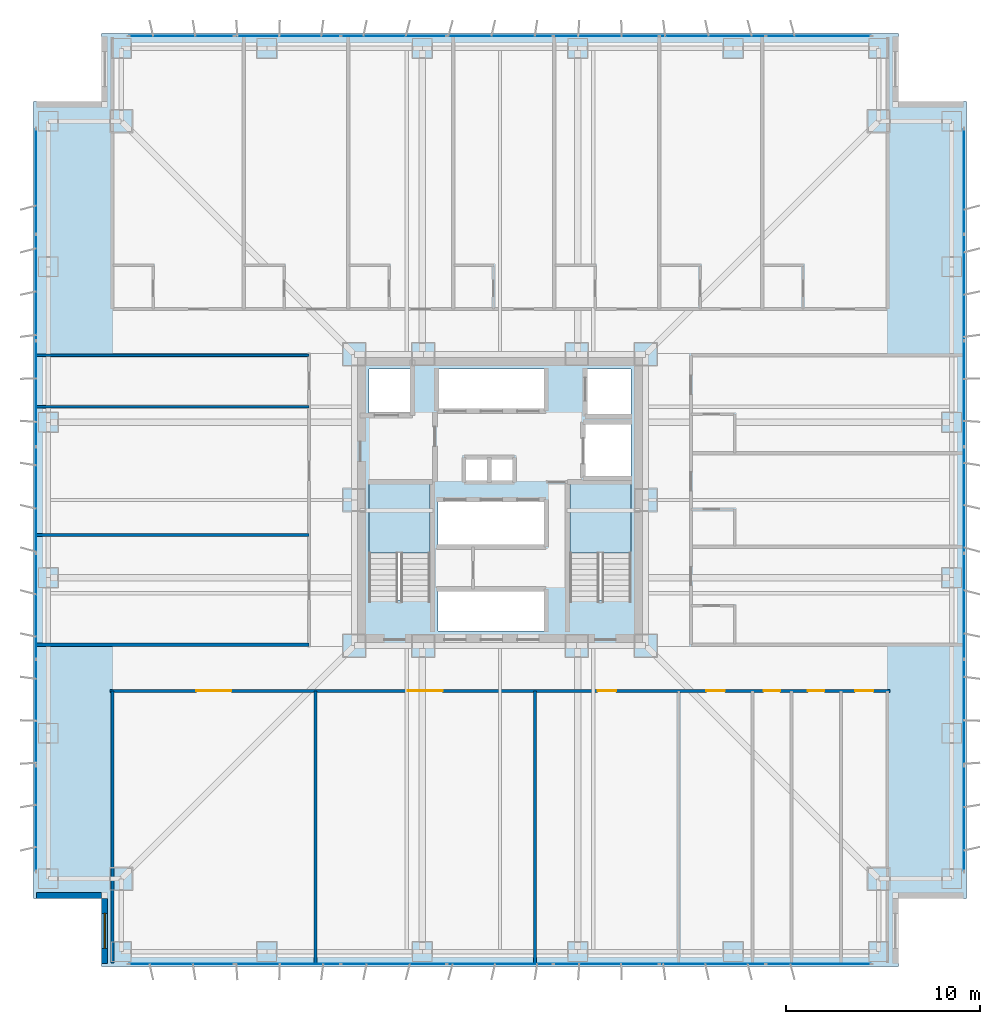
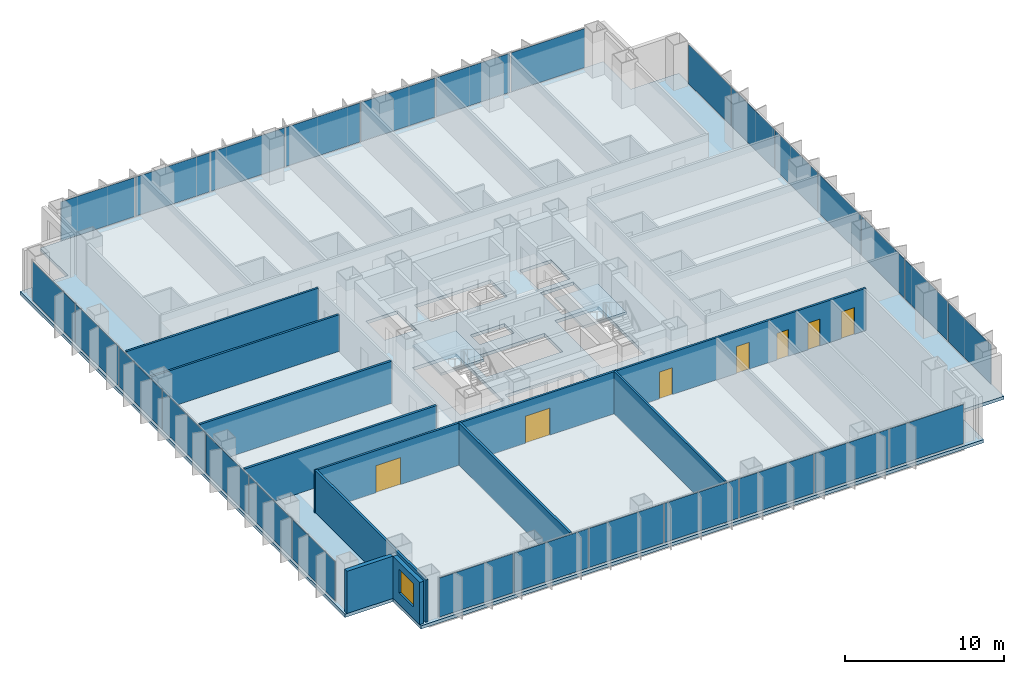
# One storey, part 10 of 17: 28 plates, 10 walls, 7 doors, 3 slabs, 1 window, 8 openings, 6 elements without a shape of their own.
"""IFC4 building model written with IfcOpenShell, lengths in metres."""

from ifc_helpers import new_model, si_unit, direction, frame, frame_2d, origin, origin_2d, place, context, subcontext, project, spatial, polyline, rectangle, outline, extrude, material, layer, layer_set, type_object, element, fill, aggregate, save


model = new_model("IFC4")

# Units and contexts
model_context = context("Model", 3, precision=1e-05, world=origin(), true_north=direction((0.0, 1.0)))
body_context = subcontext(model_context, "Body", "Model", "MODEL_VIEW")
ifc_project = project(units=[si_unit("LENGTHUNIT", "METRE"), si_unit("AREAUNIT", "SQUARE_METRE"), si_unit("VOLUMEUNIT", "CUBIC_METRE"), si_unit("PLANEANGLEUNIT", "RADIAN"), si_unit("MASSUNIT", "GRAM", prefix="KILO")], contexts=[model_context])

# Site, building, storey
site_placement = place(None, origin())
site = spatial("IfcSite", under=ifc_project, at=site_placement, CompositionType="ELEMENT")
building_placement = place(site_placement, origin())
building = spatial("IfcBuilding", under=site, at=building_placement, Name="Trevonay Congress Spire", CompositionType="ELEMENT")
storey_placement = place(building_placement, frame((0.0, 0.0, 69.0)))
storey = spatial("IfcBuildingStorey", under=building, at=storey_placement, Name="L17", CompositionType="ELEMENT", Elevation=69.0)

# Curtain wall, plates
ifc_material_1 = material(Name="Pale Anodised Aluminium EN AW-6063-T6", Category="aluminium")
ifc_layer_1 = layer(ifc_material_1, 0.179931640625, Name="Pale Anodised Aluminium EN AW-6063-T6")
ifc_layer_set_1 = layer_set([ifc_layer_1], Name="Pale Anodised Aluminium EN AW-6063-T6")
curtain_wall_type = type_object("IfcCurtainWallType", Name="CW-SYS02-HOTEL-PALE-METAL", PredefinedType="NOTDEFINED", material=ifc_layer_set_1)
curtain_wall_1_placement = place(storey_placement, origin())
curtain_wall_1 = element("IfcCurtainWall", 1, at=curtain_wall_1_placement, inside=storey, type_object=curtain_wall_type, Name="L17 S unitised curtain wall", PredefinedType="NOTDEFINED")
ifc_material_2 = material(Name="Insulated Low-E Vision Glass IGU", Category="glass")
ifc_layer_2 = layer(ifc_material_2, 0.035888671875, Name="Insulated Low-E Vision Glass IGU")
ifc_layer_set_2 = layer_set([ifc_layer_2], Name="Insulated Low-E Vision Glass IGU")
plate_type = type_object("IfcPlateType", Name="CW-PANEL-IGU36-SILVER", PredefinedType="CURTAIN_PANEL", material=ifc_layer_set_2)
plate_1_placement = place(storey_placement, frame((-16.399169921875, -23.8798828125, 0.1201171875), z_axis=(0.0, 0.0, 1.0), x_axis=(1.0, 0.0, 0.0)))
plate_1 = element("IfcPlate", 2, at=plate_1_placement, type_object=plate_type, Name="CW02 panel 1.1", PredefinedType="CURTAIN_PANEL", context=body_context, shape_type="SweptSolid", body=[
    extrude(rectangle(XDim=5.38134765625, YDim=0.035888671875, at=origin_2d()), origin(), (0.0, 0.0, 1.0), 3.010009765625),
])
plate_2_placement = place(storey_placement, frame((-10.94287109375, -23.8798828125, 0.1201171875), z_axis=(0.0, 0.0, 1.0), x_axis=(1.0, 0.0, 0.0)))
plate_2 = element("IfcPlate", 3, at=plate_2_placement, type_object=plate_type, Name="CW02 panel 2.1", PredefinedType="CURTAIN_PANEL", context=body_context, shape_type="SweptSolid", body=[
    extrude(rectangle(XDim=5.411376953125, YDim=0.035888671875, at=origin_2d()), origin(), (0.0, 0.0, 1.0), 3.010009765625),
])
plate_3_placement = place(storey_placement, frame((-5.471435546875, -23.8798828125, 0.1201171875), z_axis=(0.0, 0.0, 1.0), x_axis=(1.0, 0.0, 0.0)))
plate_3 = element("IfcPlate", 4, at=plate_3_placement, type_object=plate_type, Name="CW02 panel 3.1", PredefinedType="CURTAIN_PANEL", context=body_context, shape_type="SweptSolid", body=[
    extrude(rectangle(XDim=5.411376953125, YDim=0.035888671875, at=origin_2d()), origin(), (0.0, 0.0, 1.0), 3.010009765625),
])
plate_4_placement = place(storey_placement, frame((0.0, -23.8798828125, 0.1201171875), z_axis=(0.0, 0.0, 1.0), x_axis=(1.0, 0.0, 0.0)))
plate_4 = element("IfcPlate", 5, at=plate_4_placement, type_object=plate_type, Name="CW02 panel 4.1", PredefinedType="CURTAIN_PANEL", context=body_context, shape_type="SweptSolid", body=[
    extrude(rectangle(XDim=5.411376953125, YDim=0.035888671875, at=origin_2d()), origin(), (0.0, 0.0, 1.0), 3.010009765625),
])
plate_5_placement = place(storey_placement, frame((5.471435546875, -23.8798828125, 0.1201171875), z_axis=(0.0, 0.0, 1.0), x_axis=(1.0, 0.0, 0.0)))
plate_5 = element("IfcPlate", 6, at=plate_5_placement, type_object=plate_type, Name="CW02 panel 5.1", PredefinedType="CURTAIN_PANEL", context=body_context, shape_type="SweptSolid", body=[
    extrude(rectangle(XDim=5.411376953125, YDim=0.035888671875, at=origin_2d()), origin(), (0.0, 0.0, 1.0), 3.010009765625),
])
plate_6_placement = place(storey_placement, frame((10.94287109375, -23.8798828125, 0.1201171875), z_axis=(0.0, 0.0, 1.0), x_axis=(1.0, 0.0, 0.0)))
plate_6 = element("IfcPlate", 7, at=plate_6_placement, type_object=plate_type, Name="CW02 panel 6.1", PredefinedType="CURTAIN_PANEL", context=body_context, shape_type="SweptSolid", body=[
    extrude(rectangle(XDim=5.411376953125, YDim=0.035888671875, at=origin_2d()), origin(), (0.0, 0.0, 1.0), 3.010009765625),
])
plate_7_placement = place(storey_placement, frame((16.399169921875, -23.8798828125, 0.1201171875), z_axis=(0.0, 0.0, 1.0), x_axis=(1.0, 0.0, 0.0)))
plate_7 = element("IfcPlate", 8, at=plate_7_placement, type_object=plate_type, Name="CW02 panel 7.1", PredefinedType="CURTAIN_PANEL", context=body_context, shape_type="SweptSolid", body=[
    extrude(rectangle(XDim=5.38134765625, YDim=0.035888671875, at=origin_2d()), origin(), (0.0, 0.0, 1.0), 3.010009765625),
])
aggregate(curtain_wall_1, [plate_1, plate_2, plate_3, plate_4, plate_5, plate_6, plate_7])

curtain_wall_2_placement = place(storey_placement, origin())
curtain_wall_2 = element("IfcCurtainWall", 9, at=curtain_wall_2_placement, inside=storey, type_object=curtain_wall_type, Name="L17 N unitised curtain wall", PredefinedType="NOTDEFINED")
plate_8_placement = place(storey_placement, frame((-16.399169921875, 23.8798828125, 0.1201171875), z_axis=(0.0, 0.0, 1.0), x_axis=(1.0, 0.0, 0.0)))
plate_8 = element("IfcPlate", 10, at=plate_8_placement, type_object=plate_type, Name="CW02 panel 1.1", PredefinedType="CURTAIN_PANEL", context=body_context, shape_type="SweptSolid", body=[
    extrude(rectangle(XDim=5.38134765625, YDim=0.035888671875, at=origin_2d()), origin(), (0.0, 0.0, 1.0), 3.010009765625),
])
plate_9_placement = place(storey_placement, frame((-10.94287109375, 23.8798828125, 0.1201171875), z_axis=(0.0, 0.0, 1.0), x_axis=(1.0, 0.0, 0.0)))
plate_9 = element("IfcPlate", 11, at=plate_9_placement, type_object=plate_type, Name="CW02 panel 2.1", PredefinedType="CURTAIN_PANEL", context=body_context, shape_type="SweptSolid", body=[
    extrude(rectangle(XDim=5.411376953125, YDim=0.035888671875, at=origin_2d()), origin(), (0.0, 0.0, 1.0), 3.010009765625),
])
plate_10_placement = place(storey_placement, frame((-5.471435546875, 23.8798828125, 0.1201171875), z_axis=(0.0, 0.0, 1.0), x_axis=(1.0, 0.0, 0.0)))
plate_10 = element("IfcPlate", 12, at=plate_10_placement, type_object=plate_type, Name="CW02 panel 3.1", PredefinedType="CURTAIN_PANEL", context=body_context, shape_type="SweptSolid", body=[
    extrude(rectangle(XDim=5.411376953125, YDim=0.035888671875, at=origin_2d()), origin(), (0.0, 0.0, 1.0), 3.010009765625),
])
plate_11_placement = place(storey_placement, frame((0.0, 23.8798828125, 0.1201171875), z_axis=(0.0, 0.0, 1.0), x_axis=(1.0, 0.0, 0.0)))
plate_11 = element("IfcPlate", 13, at=plate_11_placement, type_object=plate_type, Name="CW02 panel 4.1", PredefinedType="CURTAIN_PANEL", context=body_context, shape_type="SweptSolid", body=[
    extrude(rectangle(XDim=5.411376953125, YDim=0.035888671875, at=origin_2d()), origin(), (0.0, 0.0, 1.0), 3.010009765625),
])
plate_12_placement = place(storey_placement, frame((5.471435546875, 23.8798828125, 0.1201171875), z_axis=(0.0, 0.0, 1.0), x_axis=(1.0, 0.0, 0.0)))
plate_12 = element("IfcPlate", 14, at=plate_12_placement, type_object=plate_type, Name="CW02 panel 5.1", PredefinedType="CURTAIN_PANEL", context=body_context, shape_type="SweptSolid", body=[
    extrude(rectangle(XDim=5.411376953125, YDim=0.035888671875, at=origin_2d()), origin(), (0.0, 0.0, 1.0), 3.010009765625),
])
plate_13_placement = place(storey_placement, frame((10.94287109375, 23.8798828125, 0.1201171875), z_axis=(0.0, 0.0, 1.0), x_axis=(1.0, 0.0, 0.0)))
plate_13 = element("IfcPlate", 15, at=plate_13_placement, type_object=plate_type, Name="CW02 panel 6.1", PredefinedType="CURTAIN_PANEL", context=body_context, shape_type="SweptSolid", body=[
    extrude(rectangle(XDim=5.411376953125, YDim=0.035888671875, at=origin_2d()), origin(), (0.0, 0.0, 1.0), 3.010009765625),
])
plate_14_placement = place(storey_placement, frame((16.399169921875, 23.8798828125, 0.1201171875), z_axis=(0.0, 0.0, 1.0), x_axis=(1.0, 0.0, 0.0)))
plate_14 = element("IfcPlate", 16, at=plate_14_placement, type_object=plate_type, Name="CW02 panel 7.1", PredefinedType="CURTAIN_PANEL", context=body_context, shape_type="SweptSolid", body=[
    extrude(rectangle(XDim=5.38134765625, YDim=0.035888671875, at=origin_2d()), origin(), (0.0, 0.0, 1.0), 3.010009765625),
])
aggregate(curtain_wall_2, [plate_8, plate_9, plate_10, plate_11, plate_12, plate_13, plate_14])

curtain_wall_3_placement = place(storey_placement, origin())
curtain_wall_3 = element("IfcCurtainWall", 17, at=curtain_wall_3_placement, inside=storey, type_object=curtain_wall_type, Name="L17 W unitised curtain wall", PredefinedType="NOTDEFINED")
plate_15_placement = place(storey_placement, frame((-23.8798828125, -16.399169921875, 0.1201171875), z_axis=(0.0, 0.0, 1.0), x_axis=(0.0, 1.0, 0.0)))
plate_15 = element("IfcPlate", 18, at=plate_15_placement, type_object=plate_type, Name="CW02 panel 1.1", PredefinedType="CURTAIN_PANEL", context=body_context, shape_type="SweptSolid", body=[
    extrude(rectangle(XDim=5.38134765625, YDim=0.035888671875, at=origin_2d()), origin(), (0.0, 0.0, 1.0), 3.010009765625),
])
plate_16_placement = place(storey_placement, frame((-23.8798828125, -10.94287109375, 0.1201171875), z_axis=(0.0, 0.0, 1.0), x_axis=(0.0, 1.0, 0.0)))
plate_16 = element("IfcPlate", 19, at=plate_16_placement, type_object=plate_type, Name="CW02 panel 2.1", PredefinedType="CURTAIN_PANEL", context=body_context, shape_type="SweptSolid", body=[
    extrude(rectangle(XDim=5.411376953125, YDim=0.035888671875, at=origin_2d()), origin(), (0.0, 0.0, 1.0), 3.010009765625),
])
plate_17_placement = place(storey_placement, frame((-23.8798828125, -5.471435546875, 0.1201171875), z_axis=(0.0, 0.0, 1.0), x_axis=(0.0, 1.0, 0.0)))
plate_17 = element("IfcPlate", 20, at=plate_17_placement, type_object=plate_type, Name="CW02 panel 3.1", PredefinedType="CURTAIN_PANEL", context=body_context, shape_type="SweptSolid", body=[
    extrude(rectangle(XDim=5.411376953125, YDim=0.035888671875, at=origin_2d()), origin(), (0.0, 0.0, 1.0), 3.010009765625),
])
plate_18_placement = place(storey_placement, frame((-23.8798828125, 0.0, 0.1201171875), z_axis=(0.0, 0.0, 1.0), x_axis=(0.0, 1.0, 0.0)))
plate_18 = element("IfcPlate", 21, at=plate_18_placement, type_object=plate_type, Name="CW02 panel 4.1", PredefinedType="CURTAIN_PANEL", context=body_context, shape_type="SweptSolid", body=[
    extrude(rectangle(XDim=5.411376953125, YDim=0.035888671875, at=origin_2d()), origin(), (0.0, 0.0, 1.0), 3.010009765625),
])
plate_19_placement = place(storey_placement, frame((-23.8798828125, 5.471435546875, 0.1201171875), z_axis=(0.0, 0.0, 1.0), x_axis=(0.0, 1.0, 0.0)))
plate_19 = element("IfcPlate", 22, at=plate_19_placement, type_object=plate_type, Name="CW02 panel 5.1", PredefinedType="CURTAIN_PANEL", context=body_context, shape_type="SweptSolid", body=[
    extrude(rectangle(XDim=5.411376953125, YDim=0.035888671875, at=origin_2d()), origin(), (0.0, 0.0, 1.0), 3.010009765625),
])
plate_20_placement = place(storey_placement, frame((-23.8798828125, 10.94287109375, 0.1201171875), z_axis=(0.0, 0.0, 1.0), x_axis=(0.0, 1.0, 0.0)))
plate_20 = element("IfcPlate", 23, at=plate_20_placement, type_object=plate_type, Name="CW02 panel 6.1", PredefinedType="CURTAIN_PANEL", context=body_context, shape_type="SweptSolid", body=[
    extrude(rectangle(XDim=5.411376953125, YDim=0.035888671875, at=origin_2d()), origin(), (0.0, 0.0, 1.0), 3.010009765625),
])
plate_21_placement = place(storey_placement, frame((-23.8798828125, 16.399169921875, 0.1201171875), z_axis=(0.0, 0.0, 1.0), x_axis=(0.0, 1.0, 0.0)))
plate_21 = element("IfcPlate", 24, at=plate_21_placement, type_object=plate_type, Name="CW02 panel 7.1", PredefinedType="CURTAIN_PANEL", context=body_context, shape_type="SweptSolid", body=[
    extrude(rectangle(XDim=5.38134765625, YDim=0.035888671875, at=origin_2d()), origin(), (0.0, 0.0, 1.0), 3.010009765625),
])
aggregate(curtain_wall_3, [plate_15, plate_16, plate_17, plate_18, plate_19, plate_20, plate_21])

curtain_wall_4_placement = place(storey_placement, origin())
curtain_wall_4 = element("IfcCurtainWall", 25, at=curtain_wall_4_placement, inside=storey, type_object=curtain_wall_type, Name="L17 E unitised curtain wall", PredefinedType="NOTDEFINED")
plate_22_placement = place(storey_placement, frame((23.8798828125, -16.399169921875, 0.1201171875), z_axis=(0.0, 0.0, 1.0), x_axis=(0.0, 1.0, 0.0)))
plate_22 = element("IfcPlate", 26, at=plate_22_placement, type_object=plate_type, Name="CW02 panel 1.1", PredefinedType="CURTAIN_PANEL", context=body_context, shape_type="SweptSolid", body=[
    extrude(rectangle(XDim=5.38134765625, YDim=0.035888671875, at=origin_2d()), origin(), (0.0, 0.0, 1.0), 3.010009765625),
])
plate_23_placement = place(storey_placement, frame((23.8798828125, -10.94287109375, 0.1201171875), z_axis=(0.0, 0.0, 1.0), x_axis=(0.0, 1.0, 0.0)))
plate_23 = element("IfcPlate", 27, at=plate_23_placement, type_object=plate_type, Name="CW02 panel 2.1", PredefinedType="CURTAIN_PANEL", context=body_context, shape_type="SweptSolid", body=[
    extrude(rectangle(XDim=5.411376953125, YDim=0.035888671875, at=origin_2d()), origin(), (0.0, 0.0, 1.0), 3.010009765625),
])
plate_24_placement = place(storey_placement, frame((23.8798828125, -5.471435546875, 0.1201171875), z_axis=(0.0, 0.0, 1.0), x_axis=(0.0, 1.0, 0.0)))
plate_24 = element("IfcPlate", 28, at=plate_24_placement, type_object=plate_type, Name="CW02 panel 3.1", PredefinedType="CURTAIN_PANEL", context=body_context, shape_type="SweptSolid", body=[
    extrude(rectangle(XDim=5.411376953125, YDim=0.035888671875, at=origin_2d()), origin(), (0.0, 0.0, 1.0), 3.010009765625),
])
plate_25_placement = place(storey_placement, frame((23.8798828125, 0.0, 0.1201171875), z_axis=(0.0, 0.0, 1.0), x_axis=(0.0, 1.0, 0.0)))
plate_25 = element("IfcPlate", 29, at=plate_25_placement, type_object=plate_type, Name="CW02 panel 4.1", PredefinedType="CURTAIN_PANEL", context=body_context, shape_type="SweptSolid", body=[
    extrude(rectangle(XDim=5.411376953125, YDim=0.035888671875, at=origin_2d()), origin(), (0.0, 0.0, 1.0), 3.010009765625),
])
plate_26_placement = place(storey_placement, frame((23.8798828125, 5.471435546875, 0.1201171875), z_axis=(0.0, 0.0, 1.0), x_axis=(0.0, 1.0, 0.0)))
plate_26 = element("IfcPlate", 30, at=plate_26_placement, type_object=plate_type, Name="CW02 panel 5.1", PredefinedType="CURTAIN_PANEL", context=body_context, shape_type="SweptSolid", body=[
    extrude(rectangle(XDim=5.411376953125, YDim=0.035888671875, at=origin_2d()), origin(), (0.0, 0.0, 1.0), 3.010009765625),
])
plate_27_placement = place(storey_placement, frame((23.8798828125, 10.94287109375, 0.1201171875), z_axis=(0.0, 0.0, 1.0), x_axis=(0.0, 1.0, 0.0)))
plate_27 = element("IfcPlate", 31, at=plate_27_placement, type_object=plate_type, Name="CW02 panel 6.1", PredefinedType="CURTAIN_PANEL", context=body_context, shape_type="SweptSolid", body=[
    extrude(rectangle(XDim=5.411376953125, YDim=0.035888671875, at=origin_2d()), origin(), (0.0, 0.0, 1.0), 3.010009765625),
])
plate_28_placement = place(storey_placement, frame((23.8798828125, 16.399169921875, 0.1201171875), z_axis=(0.0, 0.0, 1.0), x_axis=(0.0, 1.0, 0.0)))
plate_28 = element("IfcPlate", 32, at=plate_28_placement, type_object=plate_type, Name="CW02 panel 7.1", PredefinedType="CURTAIN_PANEL", context=body_context, shape_type="SweptSolid", body=[
    extrude(rectangle(XDim=5.38134765625, YDim=0.035888671875, at=origin_2d()), origin(), (0.0, 0.0, 1.0), 3.010009765625),
])
aggregate(curtain_wall_4, [plate_22, plate_23, plate_24, plate_25, plate_26, plate_27, plate_28])

# Stair, slab
ifc_material_3 = material(Name="Concrete C40/50", Category="concrete")
stair_type_1 = type_object("IfcStairType", Name="STR-ST-1", PredefinedType="HALF_TURN_STAIR", material=ifc_material_3)
stair_1_placement = place(storey_placement, origin())
stair_1 = element("IfcStair", 33, at=stair_1_placement, inside=storey, type_object=stair_type_1, Name="L17 Protected Exit Stair ST-1", PredefinedType="HALF_TURN_STAIR")
ifc_layer_3 = layer(ifc_material_3, 0.199951171875, Name="Concrete C40/50")
ifc_layer_set_3 = layer_set([ifc_layer_3], Name="Concrete C40/50")
slab_type_1 = type_object("IfcSlabType", Name="SLB-STAIR-LAND-200", PredefinedType="LANDING", material=ifc_layer_set_3)
slab_1_placement = place(storey_placement, frame((0.0, 0.0, 1.550048828125)))
slab_1 = element("IfcSlab", 34, at=slab_1_placement, type_object=slab_type_1, Name="ST-1 landing 1", PredefinedType="LANDING", context=body_context, shape_type="SweptSolid", body=[
    extrude(outline(polyline([(-3.60009765625, -2.72998046875), (-3.60009765625, 0.85009765625), (-6.75, 0.85009765625), (-6.75, -2.72998046875), (-3.60009765625, -2.72998046875)])), origin(), (0.0, 0.0, 1.0), 0.199951171875),
])
aggregate(stair_1, [slab_1])

stair_type_2 = type_object("IfcStairType", Name="STR-ST-2", PredefinedType="HALF_TURN_STAIR", material=ifc_material_3)
stair_2_placement = place(storey_placement, origin())
stair_2 = element("IfcStair", 35, at=stair_2_placement, inside=storey, type_object=stair_type_2, Name="L17 Protected Exit Stair ST-2", PredefinedType="HALF_TURN_STAIR")
slab_2_placement = place(storey_placement, frame((0.0, 0.0, 1.550048828125)))
slab_2 = element("IfcSlab", 36, at=slab_2_placement, type_object=slab_type_1, Name="ST-2 landing 1", PredefinedType="LANDING", context=body_context, shape_type="SweptSolid", body=[
    extrude(outline(polyline([(6.75, -2.72998046875), (6.75, 0.85009765625), (3.60009765625, 0.85009765625), (3.60009765625, -2.72998046875), (6.75, -2.72998046875)])), origin(), (0.0, 0.0, 1.0), 0.199951171875),
])
aggregate(stair_2, [slab_2])

# Slab
ifc_layer_4 = layer(ifc_material_3, 0.25, Name="Concrete C40/50")
ifc_layer_set_4 = layer_set([ifc_layer_4], Name="Concrete C40/50")
slab_type_2 = type_object("IfcSlabType", Name="SLB-TOW1-250", PredefinedType="FLOOR", material=ifc_layer_set_4)
slab_3_placement = place(storey_placement, frame((0.0, 0.0, -0.25)))
element("IfcSlab", 37, at=slab_3_placement, inside=storey, type_object=slab_type_2, Name="L17 structural floor slab", PredefinedType="FLOOR", context=body_context, shape_type="SweptSolid", body=[
    extrude(outline(polyline([(-20.5, -24.0), (20.5, -24.0), (20.5, -20.5), (24.0, -20.5), (24.0, 20.5), (20.5, 20.5), (20.5, 24.0), (-20.5, 24.0), (-20.5, 20.5), (-24.0, 20.5), (-24.0, -20.5), (-20.5, -20.5), (-20.5, -24.0)]), holes=[polyline([(-3.60009765625, -5.14990234375), (-3.60009765625, 0.85009765625), (-6.75, 0.85009765625), (-6.75, -5.14990234375), (-3.60009765625, -5.14990234375)]), polyline([(6.75, -5.14990234375), (6.75, 0.85009765625), (3.60009765625, 0.85009765625), (3.60009765625, -5.14990234375), (6.75, -5.14990234375)]), polyline([(-3.199951171875, -6.75), (2.340087890625, -6.75), (2.340087890625, -4.64990234375), (-3.199951171875, -4.64990234375), (-3.199951171875, -6.75)]), polyline([(-3.199951171875, -2.35009765625), (2.340087890625, -2.35009765625), (2.340087890625, -0.050048828125), (-3.199951171875, -0.050048828125), (-3.199951171875, -2.35009765625)]), polyline([(-3.199951171875, 4.64990234375), (2.340087890625, 4.64990234375), (2.340087890625, 6.75), (-3.199951171875, 6.75), (-3.199951171875, 4.64990234375)]), polyline([(-6.75, 4.35009765625), (-4.449951171875, 4.35009765625), (-4.449951171875, 6.75), (-6.75, 6.75), (-6.75, 4.35009765625)]), polyline([(4.449951171875, 4.35009765625), (6.75, 4.35009765625), (6.75, 6.75), (4.449951171875, 6.75), (4.449951171875, 4.35009765625)]), polyline([(4.35009765625, 1.199951171875), (6.75, 1.199951171875), (6.75, 3.949951171875), (4.35009765625, 3.949951171875), (4.35009765625, 1.199951171875)]), polyline([(-1.800048828125, 0.949951171875), (0.699951171875, 0.949951171875), (0.699951171875, 2.14990234375), (-1.800048828125, 2.14990234375), (-1.800048828125, 0.949951171875)])]), origin(), (0.0, 0.0, 1.0), 0.25),
])

# Wall, openings, doors
ifc_layer_5 = layer(ifc_material_3, 0.14990234375, Name="Concrete C40/50")
ifc_layer_set_5 = layer_set([ifc_layer_5], Name="Concrete C40/50")
wall_type_1 = type_object("IfcWallType", Name="WAL-CORR-150", PredefinedType="PARTITIONING", material=ifc_layer_set_5)
wall_1_placement = place(storey_placement, frame((-20.070068359375, -9.830078125, 0.0), z_axis=(0.0, 0.0, 1.0), x_axis=(1.0, 0.0, 0.0)))
wall_1 = element("IfcWall", 38, at=wall_1_placement, inside=storey, type_object=wall_type_1, Name="L17 interior wall WP-L17S-COR", PredefinedType="PARTITIONING", context=body_context, shape_type="SweptSolid", body=[
    extrude(rectangle(XDim=40.14013671875, YDim=0.14990234375, at=frame_2d((20.070068359375, 0.0))), origin(), (0.0, 0.0, 1.0), 3.25),
])
opening_1_placement = place(wall_1_placement, frame((4.445068359375, 0.0, 0.0)))
opening_1 = element("IfcOpeningElement", 39, at=opening_1_placement, cuts=wall_1, Name="Opening D09", PredefinedType="OPENING", context=body_context, shape_type="SweptSolid", body=[
    extrude(rectangle(XDim=1.800048828125, YDim=2.080078125, at=frame_2d((0.89990234375, 1.0400390625))), frame((0.0, 0.0849609375, 0.0), z_axis=(0.0, -1.0, 0.0), x_axis=(1.0, 0.0, 0.0)), (0.0, 0.0, 1.0), 0.169921875),
])
opening_2_placement = place(wall_1_placement, frame((15.320068359375, 0.0, 0.0)))
opening_2 = element("IfcOpeningElement", 40, at=opening_2_placement, cuts=wall_1, Name="Opening D09", PredefinedType="OPENING", context=body_context, shape_type="SweptSolid", body=[
    extrude(rectangle(XDim=1.800048828125, YDim=2.080078125, at=frame_2d((0.89990234375, 1.0400390625))), frame((0.0, 0.0849609375, 0.0), z_axis=(0.0, -1.0, 0.0), x_axis=(1.0, 0.0, 0.0)), (0.0, 0.0, 1.0), 0.169921875),
])
opening_3_placement = place(wall_1_placement, frame((25.094970703125, 0.0, 0.0)))
opening_3 = element("IfcOpeningElement", 41, at=opening_3_placement, cuts=wall_1, Name="Opening D07", PredefinedType="OPENING", context=body_context, shape_type="SweptSolid", body=[
    extrude(rectangle(XDim=0.949951171875, YDim=2.06005859375, at=frame_2d((0.47509765625, 1.030029296875))), frame((0.0, 0.0849609375, 0.0), z_axis=(0.0, -1.0, 0.0), x_axis=(1.0, 0.0, 0.0)), (0.0, 0.0, 1.0), 0.169921875),
])
opening_4_placement = place(wall_1_placement, frame((30.695068359375, 0.0, 0.0)))
opening_4 = element("IfcOpeningElement", 42, at=opening_4_placement, cuts=wall_1, Name="Opening D07", PredefinedType="OPENING", context=body_context, shape_type="SweptSolid", body=[
    extrude(rectangle(XDim=0.949951171875, YDim=2.06005859375, at=frame_2d((0.47509765625, 1.030029296875))), frame((0.0, 0.0849609375, 0.0), z_axis=(0.0, -1.0, 0.0), x_axis=(1.0, 0.0, 0.0)), (0.0, 0.0, 1.0), 0.169921875),
])
opening_5_placement = place(wall_1_placement, frame((33.64501953125, 0.0, 0.0)))
opening_5 = element("IfcOpeningElement", 43, at=opening_5_placement, cuts=wall_1, Name="Opening D10", PredefinedType="OPENING", context=body_context, shape_type="SweptSolid", body=[
    extrude(rectangle(XDim=0.85009765625, YDim=2.050048828125, at=frame_2d((0.425048828125, 1.02490234375))), frame((0.0, 0.0849609375, 0.0), z_axis=(0.0, -1.0, 0.0), x_axis=(1.0, 0.0, 0.0)), (0.0, 0.0, 1.0), 0.169921875),
])
opening_6_placement = place(wall_1_placement, frame((35.919921875, 0.0, 0.0)))
opening_6 = element("IfcOpeningElement", 44, at=opening_6_placement, cuts=wall_1, Name="Opening D10", PredefinedType="OPENING", context=body_context, shape_type="SweptSolid", body=[
    extrude(rectangle(XDim=0.85009765625, YDim=2.050048828125, at=frame_2d((0.425048828125, 1.02490234375))), frame((0.0, 0.0849609375, 0.0), z_axis=(0.0, -1.0, 0.0), x_axis=(1.0, 0.0, 0.0)), (0.0, 0.0, 1.0), 0.169921875),
])
opening_7_placement = place(wall_1_placement, frame((38.344970703125, 0.0, 0.0)))
opening_7 = element("IfcOpeningElement", 45, at=opening_7_placement, cuts=wall_1, Name="Opening D07", PredefinedType="OPENING", context=body_context, shape_type="SweptSolid", body=[
    extrude(rectangle(XDim=0.949951171875, YDim=2.06005859375, at=frame_2d((0.47509765625, 1.030029296875))), frame((0.0, 0.0849609375, 0.0), z_axis=(0.0, -1.0, 0.0), x_axis=(1.0, 0.0, 0.0)), (0.0, 0.0, 1.0), 0.169921875),
])
door_type_1 = type_object("IfcDoorType", Name="DOR-CONF-DBL", OperationType="DOUBLE_DOOR_SINGLE_SWING", PredefinedType="DOOR", material=ifc_material_1)
door_1_placement = place(opening_1_placement, origin())
door_1 = element("IfcDoor", 46, at=door_1_placement, inside=storey, type_object=door_type_1, Name="L17 Sky Banquet Dining Salon West Door", OperationType="DOUBLE_DOOR_SINGLE_SWING", OverallHeight=2.080078125, OverallWidth=1.800048828125, PredefinedType="DOOR", context=body_context, shape_type="SweptSolid", body=[
    extrude(rectangle(XDim=1.800048828125, YDim=2.080078125, at=frame_2d((0.89990234375, 1.0400390625))), frame((0.0, 0.02490234375, 0.0), z_axis=(0.0, -1.0, 0.0), x_axis=(1.0, 0.0, 0.0)), (0.0, 0.0, 1.0), 0.050048828125),
])
fill(opening_1, door_1)
door_2_placement = place(opening_2_placement, origin())
door_2 = element("IfcDoor", 47, at=door_2_placement, inside=storey, type_object=door_type_1, Name="L17 Sky Banquet Dining Salon East Door", OperationType="DOUBLE_DOOR_SINGLE_SWING", OverallHeight=2.080078125, OverallWidth=1.800048828125, PredefinedType="DOOR", context=body_context, shape_type="SweptSolid", body=[
    extrude(rectangle(XDim=1.800048828125, YDim=2.080078125, at=frame_2d((0.89990234375, 1.0400390625))), frame((0.0, 0.02490234375, 0.0), z_axis=(0.0, -1.0, 0.0), x_axis=(1.0, 0.0, 0.0)), (0.0, 0.0, 1.0), 0.050048828125),
])
fill(opening_2, door_2)
door_type_2 = type_object("IfcDoorType", Name="DOR-OFFICE-95", OperationType="NOTDEFINED", PredefinedType="DOOR", material=ifc_material_1)
door_3_placement = place(opening_3_placement, origin())
door_3 = element("IfcDoor", 48, at=door_3_placement, inside=storey, type_object=door_type_2, Name="L17 Banquet Finishing Kitchen Door", OperationType="SINGLE_SWING_LEFT", OverallHeight=2.06005859375, OverallWidth=0.949951171875, PredefinedType="DOOR", context=body_context, shape_type="SweptSolid", body=[
    extrude(rectangle(XDim=0.949951171875, YDim=2.06005859375, at=frame_2d((0.47509765625, 1.030029296875))), frame((0.0, 0.02490234375, 0.0), z_axis=(0.0, -1.0, 0.0), x_axis=(1.0, 0.0, 0.0)), (0.0, 0.0, 1.0), 0.050048828125),
])
fill(opening_3, door_3)
door_4_placement = place(opening_4_placement, origin())
door_4 = element("IfcDoor", 49, at=door_4_placement, inside=storey, type_object=door_type_2, Name="L17 Sommelier Pantry Door", OperationType="SINGLE_SWING_RIGHT", OverallHeight=2.06005859375, OverallWidth=0.949951171875, PredefinedType="DOOR", context=body_context, shape_type="SweptSolid", body=[
    extrude(rectangle(XDim=0.949951171875, YDim=2.06005859375, at=frame_2d((0.47509765625, 1.030029296875))), frame((0.0, 0.02490234375, 0.0), z_axis=(0.0, -1.0, 0.0), x_axis=(1.0, 0.0, 0.0)), (0.0, 0.0, 1.0), 0.050048828125),
])
fill(opening_4, door_4)
door_5_placement = place(opening_7_placement, origin())
door_5 = element("IfcDoor", 50, at=door_5_placement, inside=storey, type_object=door_type_2, Name="L17 Floor Supplies and Copy Room Door", OperationType="SINGLE_SWING_LEFT", OverallHeight=2.06005859375, OverallWidth=0.949951171875, PredefinedType="DOOR", context=body_context, shape_type="SweptSolid", body=[
    extrude(rectangle(XDim=0.949951171875, YDim=2.06005859375, at=frame_2d((0.47509765625, 1.030029296875))), frame((0.0, 0.02490234375, 0.0), z_axis=(0.0, -1.0, 0.0), x_axis=(1.0, 0.0, 0.0)), (0.0, 0.0, 1.0), 0.050048828125),
])
fill(opening_7, door_5)
door_type_3 = type_object("IfcDoorType", Name="DOR-WC-85", OperationType="NOTDEFINED", PredefinedType="DOOR", material=ifc_material_1)
door_6_placement = place(opening_5_placement, origin())
door_6 = element("IfcDoor", 51, at=door_6_placement, inside=storey, type_object=door_type_3, Name="L17 Accessible WC Door", OperationType="SINGLE_SWING_LEFT", OverallHeight=2.050048828125, OverallWidth=0.85009765625, PredefinedType="DOOR", context=body_context, shape_type="SweptSolid", body=[
    extrude(rectangle(XDim=0.85009765625, YDim=2.050048828125, at=frame_2d((0.425048828125, 1.02490234375))), frame((0.0, 0.02490234375, 0.0), z_axis=(0.0, -1.0, 0.0), x_axis=(1.0, 0.0, 0.0)), (0.0, 0.0, 1.0), 0.050048828125),
])
fill(opening_5, door_6)
door_7_placement = place(opening_6_placement, origin())
door_7 = element("IfcDoor", 52, at=door_7_placement, inside=storey, type_object=door_type_3, Name="L17 Female Restroom WC Door", OperationType="SINGLE_SWING_RIGHT", OverallHeight=2.050048828125, OverallWidth=0.85009765625, PredefinedType="DOOR", context=body_context, shape_type="SweptSolid", body=[
    extrude(rectangle(XDim=0.85009765625, YDim=2.050048828125, at=frame_2d((0.425048828125, 1.02490234375))), frame((0.0, 0.02490234375, 0.0), z_axis=(0.0, -1.0, 0.0), x_axis=(1.0, 0.0, 0.0)), (0.0, 0.0, 1.0), 0.050048828125),
])
fill(opening_6, door_7)

# Wall, opening, window
ifc_material_4 = material(Name="Precast concrete C40/50", Category="concrete")
ifc_layer_6 = layer(ifc_material_4, 0.300048828125, Name="Precast concrete C40/50")
ifc_layer_set_6 = layer_set([ifc_layer_6], Name="Precast concrete C40/50")
wall_type_2 = type_object("IfcWallType", Name="WAL-EXT-PRECAST-300", PredefinedType="SOLIDWALL", material=ifc_layer_set_6)
wall_2_placement = place(storey_placement, frame((-20.35009765625, -23.85009765625, 0.0), z_axis=(0.0, 0.0, 1.0), x_axis=(0.0, 1.0, 0.0)))
wall_2 = element("IfcWall", 53, at=wall_2_placement, inside=storey, type_object=wall_type_2, Name="L17 SW re-entrant notch exterior wall 1", PredefinedType="SOLIDWALL", context=body_context, shape_type="SweptSolid", body=[
    extrude(rectangle(XDim=3.35009765625, YDim=0.300048828125, at=frame_2d((1.675048828125, 0.0))), origin(), (0.0, 0.0, 1.0), 3.25),
])
opening_8_placement = place(wall_2_placement, frame((0.77490234375, 0.0, 0.89990234375)))
opening_8 = element("IfcOpeningElement", 54, at=opening_8_placement, cuts=wall_2, Name="Opening WN01", PredefinedType="OPENING", context=body_context, shape_type="SweptSolid", body=[
    extrude(rectangle(XDim=1.800048828125, YDim=1.800048828125, at=frame_2d((0.89990234375, 0.89990234375))), frame((0.0, 0.16015625, 0.0), z_axis=(0.0, -1.0, 0.0), x_axis=(1.0, 0.0, 0.0)), (0.0, 0.0, 1.0), 0.320068359375),
])
window_type = type_object("IfcWindowType", Name="WIN-HOTEL-180X180", PartitioningType="SINGLE_PANEL", PredefinedType="WINDOW", material=ifc_material_2)
window_placement = place(opening_8_placement, origin())
window = element("IfcWindow", 55, at=window_placement, inside=storey, type_object=window_type, Name="L17 SW corner notch window", OverallHeight=1.800048828125, OverallWidth=1.800048828125, PartitioningType="SINGLE_PANEL", PredefinedType="WINDOW", context=body_context, shape_type="SweptSolid", body=[
    extrude(rectangle(XDim=1.800048828125, YDim=1.800048828125, at=frame_2d((0.89990234375, 0.89990234375))), frame((0.0, 0.030029296875, 0.0), z_axis=(0.0, -1.0, 0.0), x_axis=(1.0, 0.0, 0.0)), (0.0, 0.0, 1.0), 0.06005859375),
])
fill(opening_8, window)

# Walls
wall_3_placement = place(storey_placement, frame((-23.85009765625, -20.35009765625, 0.0), z_axis=(0.0, 0.0, 1.0), x_axis=(1.0, 0.0, 0.0)))
element("IfcWall", 56, at=wall_3_placement, inside=storey, type_object=wall_type_2, Name="L17 SW re-entrant notch exterior wall 2", PredefinedType="SOLIDWALL", context=body_context, shape_type="SweptSolid", body=[
    extrude(rectangle(XDim=3.35009765625, YDim=0.300048828125, at=frame_2d((1.675048828125, 0.0))), origin(), (0.0, 0.0, 1.0), 3.25),
])
ifc_layer_7 = layer(ifc_material_3, 0.14990234375, Name="Concrete C40/50")
ifc_layer_set_7 = layer_set([ifc_layer_7], Name="Concrete C40/50")
wall_type_3 = type_object("IfcWallType", Name="WAL-PART-150", PredefinedType="PARTITIONING", material=ifc_layer_set_7)
wall_4_placement = place(storey_placement, frame((1.800048828125, -23.820068359375, 0.0), z_axis=(0.0, 0.0, 1.0), x_axis=(0.0, 1.0, 0.0)))
element("IfcWall", 57, at=wall_4_placement, inside=storey, type_object=wall_type_3, Name="L17 interior wall WP-L17S-DIV3", PredefinedType="PARTITIONING", context=body_context, shape_type="SweptSolid", body=[
    extrude(rectangle(XDim=13.989990234375, YDim=0.14990234375, at=frame_2d((6.9951171875, 0.0))), origin(), (0.0, 0.0, 1.0), 3.25),
])
wall_5_placement = place(storey_placement, frame((-23.820068359375, 4.800048828125, 0.0), z_axis=(0.0, 0.0, 1.0), x_axis=(1.0, 0.0, 0.0)))
element("IfcWall", 58, at=wall_5_placement, inside=storey, type_object=wall_type_3, Name="L17 interior wall WP-L17W-DIV3", PredefinedType="PARTITIONING", context=body_context, shape_type="SweptSolid", body=[
    extrude(rectangle(XDim=13.989990234375, YDim=0.14990234375, at=frame_2d((6.9951171875, 0.0))), origin(), (0.0, 0.0, 1.0), 2.818115234375),
])
wall_6_placement = place(storey_placement, frame((-23.820068359375, 7.449951171875, 0.0), z_axis=(0.0, 0.0, 1.0), x_axis=(1.0, 0.0, 0.0)))
element("IfcWall", 59, at=wall_6_placement, inside=storey, type_object=wall_type_3, Name="L17 interior wall WP-L17W-DIV4", PredefinedType="PARTITIONING", context=body_context, shape_type="SweptSolid", body=[
    extrude(rectangle(XDim=13.989990234375, YDim=0.14990234375, at=frame_2d((6.9951171875, 0.0))), origin(), (0.0, 0.0, 1.0), 3.25),
])
ifc_layer_8 = layer(ifc_material_3, 0.1650390625, Name="Concrete C40/50")
ifc_layer_set_8 = layer_set([ifc_layer_8], Name="Concrete C40/50")
wall_type_4 = type_object("IfcWallType", Name="WAL-WET-165", PredefinedType="PLUMBINGWALL", material=ifc_layer_set_8)
for number, where, z_axis, x_axis, name in (
    (60, (-19.949951171875, -23.820068359375, 0.0), (0.0, 0.0, 1.0), (0.0, 1.0, 0.0), "L17 interior wall WP-L17S-DIV1"),
    (61, (-9.5, -23.820068359375, 0.0), (0.0, 0.0, 1.0), (0.0, 1.0, 0.0), "L17 interior wall WP-L17S-DIV2"),
    (62, (-23.820068359375, -7.449951171875, 0.0), (0.0, 0.0, 1.0), (1.0, 0.0, 0.0), "L17 interior wall WP-L17W-DIV1"),
    (63, (-23.820068359375, -1.800048828125, 0.0), (0.0, 0.0, 1.0), (1.0, 0.0, 0.0), "L17 interior wall WP-L17W-DIV2"),
):
    element("IfcWall", number, at=place(storey_placement, frame(where, z_axis=z_axis, x_axis=x_axis)), inside=storey, type_object=wall_type_4, Name=name, PredefinedType="PLUMBINGWALL", context=body_context, shape_type="SweptSolid", body=[
        extrude(rectangle(XDim=13.989990234375, YDim=0.1650390625, at=frame_2d((6.9951171875, 0.0))), origin(), (0.0, 0.0, 1.0), 3.25),
    ])

save(model, "model.ifc")
